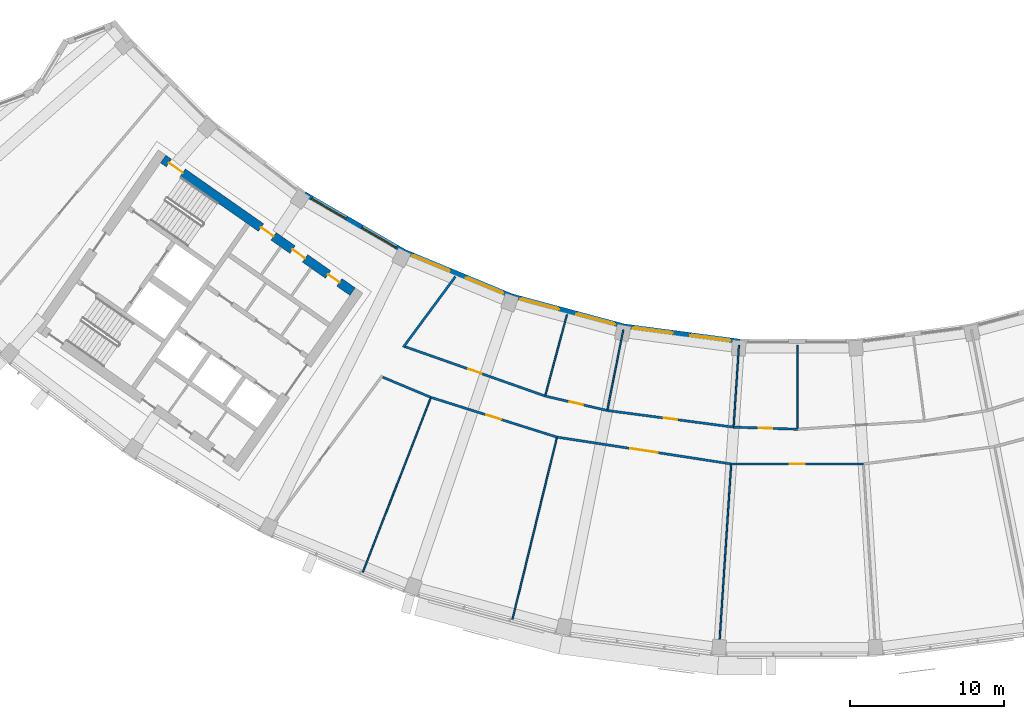
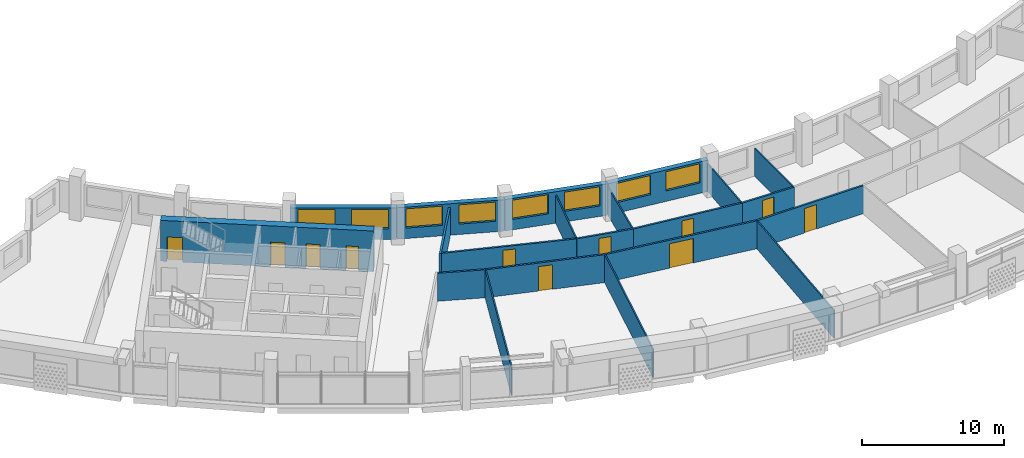
# One storey, part 4 of 28: 21 walls, 11 doors, 8 windows, 19 openings.
"""IFC4 building model written with IfcOpenShell, lengths in metres."""

from ifc_helpers import new_model, si_unit, direction, frame, frame_2d, origin, place, context, subcontext, project, spatial, rectangle, extrude, material, layer, layer_set, type_object, element, fill, save


model = new_model("IFC4")

# Units and contexts
model_context = context("Model", 3, precision=1e-05, world=origin(), true_north=direction((0.0, 1.0)))
body_context = subcontext(model_context, "Body", "Model", "MODEL_VIEW")
ifc_project = project(units=[si_unit("LENGTHUNIT", "METRE"), si_unit("AREAUNIT", "SQUARE_METRE"), si_unit("VOLUMEUNIT", "CUBIC_METRE"), si_unit("PLANEANGLEUNIT", "RADIAN"), si_unit("MASSUNIT", "GRAM", prefix="KILO")], contexts=[model_context])

# Site, building, storey
site_placement = place(None, origin())
site = spatial("IfcSite", under=ifc_project, at=site_placement, CompositionType="ELEMENT")
building_placement = place(site_placement, origin())
building = spatial("IfcBuilding", under=site, at=building_placement, Name="Qamariyya Broadcast Tower", CompositionType="ELEMENT")
storey_placement = place(building_placement, frame((0.0, 0.0, 269.5)))
storey = spatial("IfcBuildingStorey", under=building, at=storey_placement, Name="L65", CompositionType="ELEMENT", Elevation=269.5)

# Wall, openings, doors
ifc_material_1 = material(Name="Concrete C60/75", Category="concrete")
ifc_layer_1 = layer(ifc_material_1, 0.60009765625)
ifc_layer_set_1 = layer_set([ifc_layer_1], Name="Core wall 600 mm Concrete C60/75")
wall_type_1 = type_object("IfcWallType", Name="Core wall 600 mm Concrete C60/75", PredefinedType="SHEAR", material=ifc_layer_set_1)
wall_1_placement = place(storey_placement, frame((-28.940673828125, -54.447021484375, 0.0), z_axis=(0.0, 0.0, 1.0), x_axis=(-0.819153391756, 0.573574511963, 0.0)))
wall_1 = element("IfcWall", 1, at=wall_1_placement, inside=storey, type_object=wall_type_1, Name="k-W-L65-WI", PredefinedType="SHEAR", context=body_context, shape_type="SweptSolid", body=[
    extrude(rectangle(XDim=15.04541015625, YDim=0.60009765625, at=frame_2d((7.522705078125, 0.0))), origin(), (0.0, 0.0, 1.0), 3.5),
])
opening_1_placement = place(wall_1_placement, frame((1.050048828125, 0.0, 0.0)))
opening_1 = element("IfcOpeningElement", 2, at=opening_1_placement, cuts=wall_1, Name="Opening KD5-W1", PredefinedType="OPENING", context=body_context, shape_type="SweptSolid", body=[
    extrude(rectangle(XDim=0.89990234375, YDim=2.10009765625, at=frame_2d((0.449951171875, 1.050048828125))), frame((0.0, 0.31005859375, 0.0), z_axis=(0.0, -1.0, 0.0), x_axis=(1.0, 0.0, 0.0)), (0.0, 0.0, 1.0), 0.6201171875),
])
opening_2_placement = place(wall_1_placement, frame((3.77490234375, 0.0, 0.0)))
opening_2 = element("IfcOpeningElement", 3, at=opening_2_placement, cuts=wall_1, Name="Opening KD7-W1", PredefinedType="OPENING", context=body_context, shape_type="SweptSolid", body=[
    extrude(rectangle(XDim=1.0, YDim=2.10009765625, at=frame_2d((0.5, 1.050048828125))), frame((0.0, 0.31005859375, 0.0), z_axis=(0.0, -1.0, 0.0), x_axis=(1.0, 0.0, 0.0)), (0.0, 0.0, 1.0), 0.6201171875),
])
opening_3_placement = place(wall_1_placement, frame((6.27490234375, 0.0, 0.0)))
opening_3 = element("IfcOpeningElement", 4, at=opening_3_placement, cuts=wall_1, Name="Opening KD6-W3", PredefinedType="OPENING", context=body_context, shape_type="SweptSolid", body=[
    extrude(rectangle(XDim=1.0, YDim=2.10009765625, at=frame_2d((0.5, 1.050048828125))), frame((0.0, 0.31005859375, 0.0), z_axis=(0.0, -1.0, 0.0), x_axis=(1.0, 0.0, 0.0)), (0.0, 0.0, 1.0), 0.6201171875),
])
opening_4_placement = place(wall_1_placement, frame((13.495361328125, 0.0, 0.0)))
opening_4 = element("IfcOpeningElement", 5, at=opening_4_placement, cuts=wall_1, Name="Opening KD1-W1", PredefinedType="OPENING", context=body_context, shape_type="SweptSolid", body=[
    extrude(rectangle(XDim=1.10009765625, YDim=2.10009765625, at=frame_2d((0.550048828125, 1.050048828125))), frame((0.0, 0.31005859375, 0.0), z_axis=(0.0, -1.0, 0.0), x_axis=(1.0, 0.0, 0.0)), (0.0, 0.0, 1.0), 0.6201171875),
])
ifc_material_2 = material(Name="Steel fire-resisting door leaf", Category="steel")
door_type_1 = type_object("IfcDoorType", Name="Accessible toilet door KD7", OperationType="SINGLE_SWING_LEFT", PredefinedType="DOOR", material=ifc_material_2)
door_1_placement = place(opening_2_placement, origin())
door_1 = element("IfcDoor", 6, at=door_1_placement, inside=storey, type_object=door_type_1, Name="k-W-L65-WI-D9", OperationType="SINGLE_SWING_RIGHT", OverallHeight=2.10009765625, OverallWidth=1.0, PredefinedType="DOOR", context=body_context, shape_type="SweptSolid", body=[
    extrude(rectangle(XDim=1.0, YDim=2.10009765625, at=frame_2d((0.5, 1.050048828125))), frame((0.0, 0.02490234375, 0.0), z_axis=(0.0, -1.0, 0.0), x_axis=(1.0, 0.0, 0.0)), (0.0, 0.0, 1.0), 0.050048828125),
])
fill(opening_2, door_1)
door_type_2 = type_object("IfcDoorType", Name="Core room door KD6", OperationType="SINGLE_SWING_LEFT", PredefinedType="DOOR", material=ifc_material_2)
door_2_placement = place(opening_3_placement, origin())
door_2 = element("IfcDoor", 7, at=door_2_placement, inside=storey, type_object=door_type_2, Name="k-W-L65-WI-D10", OperationType="SINGLE_SWING_LEFT", OverallHeight=2.10009765625, OverallWidth=1.0, PredefinedType="DOOR", context=body_context, shape_type="SweptSolid", body=[
    extrude(rectangle(XDim=1.0, YDim=2.10009765625, at=frame_2d((0.5, 1.050048828125))), frame((0.0, 0.02490234375, 0.0), z_axis=(0.0, -1.0, 0.0), x_axis=(1.0, 0.0, 0.0)), (0.0, 0.0, 1.0), 0.050048828125),
])
fill(opening_3, door_2)
door_type_3 = type_object("IfcDoorType", Name="Stair door KD1", OperationType="SINGLE_SWING_LEFT", PredefinedType="DOOR", material=ifc_material_2)
door_3_placement = place(opening_4_placement, origin())
door_3 = element("IfcDoor", 8, at=door_3_placement, inside=storey, type_object=door_type_3, Name="k-W-L65-WI-D17", OperationType="SINGLE_SWING_RIGHT", OverallHeight=2.10009765625, OverallWidth=1.10009765625, PredefinedType="DOOR", context=body_context, shape_type="SweptSolid", body=[
    extrude(rectangle(XDim=1.10009765625, YDim=2.10009765625, at=frame_2d((0.550048828125, 1.050048828125))), frame((0.0, 0.02490234375, 0.0), z_axis=(0.0, -1.0, 0.0), x_axis=(1.0, 0.0, 0.0)), (0.0, 0.0, 1.0), 0.050048828125),
])
fill(opening_4, door_3)
door_type_4 = type_object("IfcDoorType", Name="Toilet door KD5", OperationType="SINGLE_SWING_LEFT", PredefinedType="DOOR", material=ifc_material_2)
door_4_placement = place(opening_1_placement, origin())
door_4 = element("IfcDoor", 9, at=door_4_placement, inside=storey, type_object=door_type_4, Name="k-W-L65-WI-D8", OperationType="SINGLE_SWING_LEFT", OverallHeight=2.10009765625, OverallWidth=0.89990234375, PredefinedType="DOOR", context=body_context, shape_type="SweptSolid", body=[
    extrude(rectangle(XDim=0.89990234375, YDim=2.10009765625, at=frame_2d((0.449951171875, 1.050048828125))), frame((0.0, 0.02490234375, 0.0), z_axis=(0.0, -1.0, 0.0), x_axis=(1.0, 0.0, 0.0)), (0.0, 0.0, 1.0), 0.050048828125),
])
fill(opening_1, door_4)

# Wall
ifc_material_3 = material(Name="Gypsum board partition")
ifc_layer_2 = layer(ifc_material_3, 0.14990234375)
ifc_layer_set_2 = layer_set([ifc_layer_2], Name="Corridor partition 150 EI 60")
wall_type_2 = type_object("IfcWallType", Name="Corridor partition 150 EI 60", PredefinedType="PARTITIONING", material=ifc_layer_set_2)
wall_2_placement = place(storey_placement, frame((-26.98828125, -60.008544921875, 0.0), z_axis=(0.0, 0.0, 1.0), x_axis=(0.922124291828, -0.386893771494, 0.0)))
element("IfcWall", 10, at=wall_2_placement, inside=storey, type_object=wall_type_2, Name="Partition L65-004", PredefinedType="PARTITIONING", context=body_context, shape_type="SweptSolid", body=[
    extrude(rectangle(XDim=3.406982421875, YDim=0.14990234375, at=frame_2d((1.70361328125, 0.0))), origin(), (0.0, 0.0, 1.0), 2.39990234375),
])

# Wall, opening, door
wall_3_placement = place(storey_placement, frame((-25.52734375, -58.027587890625, 0.0), z_axis=(0.0, 0.0, 1.0), x_axis=(0.94318552037, -0.332266570941, 0.0)))
wall_3 = element("IfcWall", 11, at=wall_3_placement, inside=storey, type_object=wall_type_2, Name="Partition L65-005", PredefinedType="PARTITIONING", context=body_context, shape_type="SweptSolid", body=[
    extrude(rectangle(XDim=9.66748046875, YDim=0.14990234375, at=frame_2d((4.833740234375, 0.0))), origin(), (0.0, 0.0, 1.0), 2.39990234375),
])
opening_5_placement = place(wall_3_placement, frame((4.3837890625, 0.0, 0.0)))
opening_5 = element("IfcOpeningElement", 12, at=opening_5_placement, cuts=wall_3, Name="Opening L65-D08", PredefinedType="OPENING", context=body_context, shape_type="SweptSolid", body=[
    extrude(rectangle(XDim=0.89990234375, YDim=2.10009765625, at=frame_2d((0.449951171875, 1.050048828125))), frame((0.0, 0.0849609375, 0.0), z_axis=(0.0, -1.0, 0.0), x_axis=(1.0, 0.0, 0.0)), (0.0, 0.0, 1.0), 0.169921875),
])
ifc_material_4 = material(Name="Timber fire door leaf", Category="wood")
door_type_5 = type_object("IfcDoorType", Name="Fire door 900 x 2100 FD60", OperationType="NOTDEFINED", PredefinedType="DOOR", material=ifc_material_4)
door_5_placement = place(opening_5_placement, origin())
door_5 = element("IfcDoor", 13, at=door_5_placement, inside=storey, type_object=door_type_5, Name="Door L65-D08", OperationType="SINGLE_SWING_RIGHT", OverallHeight=2.10009765625, OverallWidth=0.89990234375, PredefinedType="DOOR", context=body_context, shape_type="SweptSolid", body=[
    extrude(rectangle(XDim=0.89990234375, YDim=2.10009765625, at=frame_2d((0.449951171875, 1.050048828125))), frame((0.0, 0.02490234375, 0.0), z_axis=(0.0, -1.0, 0.0), x_axis=(1.0, 0.0, 0.0)), (0.0, 0.0, 1.0), 0.050048828125),
])
fill(opening_5, door_5)

wall_4_placement = place(storey_placement, frame((-15.637939453125, -63.914794921875, 0.0), z_axis=(0.0, 0.0, 1.0), x_axis=(-0.953719319389, 0.300698287031, 0.0)))
wall_4 = element("IfcWall", 14, at=wall_4_placement, inside=storey, type_object=wall_type_2, Name="Partition L65-006", PredefinedType="PARTITIONING", context=body_context, shape_type="SweptSolid", body=[
    extrude(rectangle(XDim=8.607177734375, YDim=0.14990234375, at=frame_2d((4.3037109375, 0.0))), origin(), (0.0, 0.0, 1.0), 2.39990234375),
])
opening_6_placement = place(wall_4_placement, frame((3.803466796875, 0.0, 0.0)))
opening_6 = element("IfcOpeningElement", 15, at=opening_6_placement, cuts=wall_4, Name="Opening L65-D02", PredefinedType="OPENING", context=body_context, shape_type="SweptSolid", body=[
    extrude(rectangle(XDim=1.0, YDim=2.10009765625, at=frame_2d((0.5, 1.050048828125))), frame((0.0, 0.0849609375, 0.0), z_axis=(0.0, -1.0, 0.0), x_axis=(1.0, 0.0, 0.0)), (0.0, 0.0, 1.0), 0.169921875),
])
door_type_6 = type_object("IfcDoorType", Name="Fire door 1000 x 2100 FD60", OperationType="NOTDEFINED", PredefinedType="DOOR", material=ifc_material_4)
door_6_placement = place(opening_6_placement, origin())
door_6 = element("IfcDoor", 16, at=door_6_placement, inside=storey, type_object=door_type_6, Name="Door L65-D02", OperationType="SINGLE_SWING_RIGHT", OverallHeight=2.10009765625, OverallWidth=1.0, PredefinedType="DOOR", context=body_context, shape_type="SweptSolid", body=[
    extrude(rectangle(XDim=1.0, YDim=2.10009765625, at=frame_2d((0.5, 1.050048828125))), frame((0.0, 0.02490234375, 0.0), z_axis=(0.0, -1.0, 0.0), x_axis=(1.0, 0.0, 0.0)), (0.0, 0.0, 1.0), 0.050048828125),
])
fill(opening_6, door_6)

# Wall
wall_5_placement = place(storey_placement, frame((-22.251953125, -53.469482421875, 0.0), z_axis=(0.0, 0.0, 1.0), x_axis=(-0.593872728047, -0.804558999006, 0.0)))
element("IfcWall", 17, at=wall_5_placement, inside=storey, type_object=wall_type_2, Name="Partition L65-007", PredefinedType="PARTITIONING", context=body_context, shape_type="SweptSolid", body=[
    extrude(rectangle(XDim=5.709228515625, YDim=0.14990234375, at=frame_2d((2.8544921875, 0.0))), origin(), (0.0, 0.0, 1.0), 2.39990234375),
])

# Wall, opening, door
wall_6_placement = place(storey_placement, frame((-16.4091796875, -61.23974609375, 0.0), z_axis=(0.0, 0.0, 1.0), x_axis=(0.973875922187, -0.227080796599, 0.0)))
wall_6 = element("IfcWall", 18, at=wall_6_placement, inside=storey, type_object=wall_type_2, Name="Partition L65-009", PredefinedType="PARTITIONING", context=body_context, shape_type="SweptSolid", body=[
    extrude(rectangle(XDim=4.14892578125, YDim=0.14990234375, at=frame_2d((2.074462890625, 0.0))), origin(), (0.0, 0.0, 1.0), 2.39990234375),
])
opening_7_placement = place(wall_6_placement, frame((1.62451171875, 0.0, 0.0)))
opening_7 = element("IfcOpeningElement", 19, at=opening_7_placement, cuts=wall_6, Name="Opening L65-D09", PredefinedType="OPENING", context=body_context, shape_type="SweptSolid", body=[
    extrude(rectangle(XDim=0.89990234375, YDim=2.10009765625, at=frame_2d((0.449951171875, 1.050048828125))), frame((0.0, 0.0849609375, 0.0), z_axis=(0.0, -1.0, 0.0), x_axis=(1.0, 0.0, 0.0)), (0.0, 0.0, 1.0), 0.169921875),
])
door_7_placement = place(opening_7_placement, origin())
door_7 = element("IfcDoor", 20, at=door_7_placement, inside=storey, type_object=door_type_5, Name="Door L65-D09", OperationType="SINGLE_SWING_RIGHT", OverallHeight=2.10009765625, OverallWidth=0.89990234375, PredefinedType="DOOR", context=body_context, shape_type="SweptSolid", body=[
    extrude(rectangle(XDim=0.89990234375, YDim=2.10009765625, at=frame_2d((0.449951171875, 1.050048828125))), frame((0.0, 0.02490234375, 0.0), z_axis=(0.0, -1.0, 0.0), x_axis=(1.0, 0.0, 0.0)), (0.0, 0.0, 1.0), 0.050048828125),
])
fill(opening_7, door_7)

wall_7_placement = place(storey_placement, frame((-4.303466796875, -65.6591796875, 0.0), z_axis=(0.0, 0.0, 1.0), x_axis=(-0.988363574422, 0.152109975859, 0.0)))
wall_7 = element("IfcWall", 21, at=wall_7_placement, inside=storey, type_object=wall_type_2, Name="Partition L65-010", PredefinedType="PARTITIONING", context=body_context, shape_type="SweptSolid", body=[
    extrude(rectangle(XDim=11.468017578125, YDim=0.14990234375, at=frame_2d((5.73388671875, 0.0))), origin(), (0.0, 0.0, 1.0), 2.39990234375),
])
opening_8_placement = place(wall_7_placement, frame((4.833984375, 0.0, 0.0)))
opening_8 = element("IfcOpeningElement", 22, at=opening_8_placement, cuts=wall_7, Name="Opening L65-D03", PredefinedType="OPENING", context=body_context, shape_type="SweptSolid", body=[
    extrude(rectangle(XDim=1.800048828125, YDim=2.10009765625, at=frame_2d((0.89990234375, 1.050048828125))), frame((0.0, 0.0849609375, 0.0), z_axis=(0.0, -1.0, 0.0), x_axis=(1.0, 0.0, 0.0)), (0.0, 0.0, 1.0), 0.169921875),
])
door_type_7 = type_object("IfcDoorType", Name="Double fire door 1800 x 2100 FD60", OperationType="NOTDEFINED", PredefinedType="DOOR", material=ifc_material_4)
door_8_placement = place(opening_8_placement, origin())
door_8 = element("IfcDoor", 23, at=door_8_placement, inside=storey, type_object=door_type_7, Name="Door L65-D03", OperationType="DOUBLE_DOOR_SINGLE_SWING", OverallHeight=2.10009765625, OverallWidth=1.800048828125, PredefinedType="DOOR", context=body_context, shape_type="SweptSolid", body=[
    extrude(rectangle(XDim=1.800048828125, YDim=2.10009765625, at=frame_2d((0.89990234375, 1.050048828125))), frame((0.0, 0.02490234375, 0.0), z_axis=(0.0, -1.0, 0.0), x_axis=(1.0, 0.0, 0.0)), (0.0, 0.0, 1.0), 0.050048828125),
])
fill(opening_8, door_8)

wall_8_placement = place(storey_placement, frame((-12.36865234375, -62.181884765625, 0.0), z_axis=(0.0, 0.0, 1.0), x_axis=(0.991447881484, -0.130503250152, 0.0)))
wall_8 = element("IfcWall", 24, at=wall_8_placement, inside=storey, type_object=wall_type_2, Name="Partition L65-012", PredefinedType="PARTITIONING", context=body_context, shape_type="SweptSolid", body=[
    extrude(rectangle(XDim=8.293212890625, YDim=0.14990234375, at=frame_2d((4.146484375, 0.0))), origin(), (0.0, 0.0, 1.0), 2.39990234375),
])
opening_9_placement = place(wall_8_placement, frame((3.696533203125, 0.0, 0.0)))
opening_9 = element("IfcOpeningElement", 25, at=opening_9_placement, cuts=wall_8, Name="Opening L65-D10", PredefinedType="OPENING", context=body_context, shape_type="SweptSolid", body=[
    extrude(rectangle(XDim=0.89990234375, YDim=2.10009765625, at=frame_2d((0.449951171875, 1.050048828125))), frame((0.0, 0.0849609375, 0.0), z_axis=(0.0, -1.0, 0.0), x_axis=(1.0, 0.0, 0.0)), (0.0, 0.0, 1.0), 0.169921875),
])
door_9_placement = place(opening_9_placement, origin())
door_9 = element("IfcDoor", 26, at=door_9_placement, inside=storey, type_object=door_type_5, Name="Door L65-D10", OperationType="SINGLE_SWING_RIGHT", OverallHeight=2.10009765625, OverallWidth=0.89990234375, PredefinedType="DOOR", context=body_context, shape_type="SweptSolid", body=[
    extrude(rectangle(XDim=0.89990234375, YDim=2.10009765625, at=frame_2d((0.449951171875, 1.050048828125))), frame((0.0, 0.02490234375, 0.0), z_axis=(0.0, -1.0, 0.0), x_axis=(1.0, 0.0, 0.0)), (0.0, 0.0, 1.0), 0.050048828125),
])
fill(opening_9, door_9)

wall_9_placement = place(storey_placement, frame((4.303466796875, -65.6591796875, 0.0), z_axis=(0.0, 0.0, 1.0), x_axis=(-1.0, 0.0, 0.0)))
wall_9 = element("IfcWall", 27, at=wall_9_placement, inside=storey, type_object=wall_type_2, Name="Partition L65-015", PredefinedType="PARTITIONING", context=body_context, shape_type="SweptSolid", body=[
    extrude(rectangle(XDim=8.60693359375, YDim=0.14990234375, at=frame_2d((4.303466796875, 0.0))), origin(), (0.0, 0.0, 1.0), 2.39990234375),
])
opening_10_placement = place(wall_9_placement, frame((3.803466796875, 0.0, 0.0)))
opening_10 = element("IfcOpeningElement", 28, at=opening_10_placement, cuts=wall_9, Name="Opening L65-D04", PredefinedType="OPENING", context=body_context, shape_type="SweptSolid", body=[
    extrude(rectangle(XDim=1.0, YDim=2.10009765625, at=frame_2d((0.5, 1.050048828125))), frame((0.0, 0.0849609375, 0.0), z_axis=(0.0, -1.0, 0.0), x_axis=(1.0, 0.0, 0.0)), (0.0, 0.0, 1.0), 0.169921875),
])
door_10_placement = place(opening_10_placement, origin())
door_10 = element("IfcDoor", 29, at=door_10_placement, inside=storey, type_object=door_type_6, Name="Door L65-D04", OperationType="SINGLE_SWING_RIGHT", OverallHeight=2.10009765625, OverallWidth=1.0, PredefinedType="DOOR", context=body_context, shape_type="SweptSolid", body=[
    extrude(rectangle(XDim=1.0, YDim=2.10009765625, at=frame_2d((0.5, 1.050048828125))), frame((0.0, 0.02490234375, 0.0), z_axis=(0.0, -1.0, 0.0), x_axis=(1.0, 0.0, 0.0)), (0.0, 0.0, 1.0), 0.050048828125),
])
fill(opening_10, door_10)

wall_10_placement = place(storey_placement, frame((-4.146484375, -63.26416015625, 0.0), z_axis=(0.0, 0.0, 1.0), x_axis=(0.999464584765, -0.032719165634, 0.0)))
wall_10 = element("IfcWall", 30, at=wall_10_placement, inside=storey, type_object=wall_type_2, Name="Partition L65-016", PredefinedType="PARTITIONING", context=body_context, shape_type="SweptSolid", body=[
    extrude(rectangle(XDim=4.148681640625, YDim=0.14990234375, at=frame_2d((2.07421875, 0.0))), origin(), (0.0, 0.0, 1.0), 2.39990234375),
])
opening_11_placement = place(wall_10_placement, frame((1.62451171875, 0.0, 0.0)))
opening_11 = element("IfcOpeningElement", 31, at=opening_11_placement, cuts=wall_10, Name="Opening L65-D11", PredefinedType="OPENING", context=body_context, shape_type="SweptSolid", body=[
    extrude(rectangle(XDim=0.89990234375, YDim=2.10009765625, at=frame_2d((0.449951171875, 1.050048828125))), frame((0.0, 0.0849609375, 0.0), z_axis=(0.0, -1.0, 0.0), x_axis=(1.0, 0.0, 0.0)), (0.0, 0.0, 1.0), 0.169921875),
])
door_11_placement = place(opening_11_placement, origin())
door_11 = element("IfcDoor", 32, at=door_11_placement, inside=storey, type_object=door_type_5, Name="Door L65-D11", OperationType="SINGLE_SWING_RIGHT", OverallHeight=2.10009765625, OverallWidth=0.89990234375, PredefinedType="DOOR", context=body_context, shape_type="SweptSolid", body=[
    extrude(rectangle(XDim=0.89990234375, YDim=2.10009765625, at=frame_2d((0.449951171875, 1.050048828125))), frame((0.0, 0.02490234375, 0.0), z_axis=(0.0, -1.0, 0.0), x_axis=(1.0, 0.0, 0.0)), (0.0, 0.0, 1.0), 0.050048828125),
])
fill(opening_11, door_11)

# Walls
ifc_layer_3 = layer(ifc_material_3, 0.10009765625)
ifc_layer_set_3 = layer_set([ifc_layer_3], Name="Partition 100")
wall_type_3 = type_object("IfcWallType", Name="Partition 100", PredefinedType="PARTITIONING", material=ifc_layer_set_3)
wall_11_placement = place(storey_placement, frame((-28.2685546875, -72.6982421875, 0.0), z_axis=(0.0, 0.0, 1.0), x_axis=(0.362410311337, 0.932018651228, 0.0)))
element("IfcWall", 33, at=wall_11_placement, inside=storey, type_object=wall_type_3, Name="Partition L65-002", PredefinedType="PARTITIONING", context=body_context, shape_type="SweptSolid", body=[
    extrude(rectangle(XDim=12.125732421875, YDim=0.10009765625, at=frame_2d((6.06298828125, 0.0))), origin(), (0.0, 0.0, 1.0), 2.39990234375),
])
wall_12_placement = place(storey_placement, frame((-18.53759765625, -75.76611328125, 0.0), z_axis=(0.0, 0.0, 1.0), x_axis=(0.237657846319, 0.971348932198, 0.0)))
element("IfcWall", 34, at=wall_12_placement, inside=storey, type_object=wall_type_3, Name="Partition L65-008", PredefinedType="PARTITIONING", context=body_context, shape_type="SweptSolid", body=[
    extrude(rectangle(XDim=12.1259765625, YDim=0.10009765625, at=frame_2d((6.06298828125, 0.0))), origin(), (0.0, 0.0, 1.0), 2.39990234375),
])
wall_13_placement = place(storey_placement, frame((-14.992431640625, -55.952880859375, 0.0), z_axis=(0.0, 0.0, 1.0), x_axis=(-0.258825000964, -0.965924230401, 0.0)))
element("IfcWall", 35, at=wall_13_placement, inside=storey, type_object=wall_type_3, Name="Partition L65-011", PredefinedType="PARTITIONING", context=body_context, shape_type="SweptSolid", body=[
    extrude(rectangle(XDim=5.398193359375, YDim=0.10009765625, at=frame_2d((2.69921875, 0.0))), origin(), (0.0, 0.0, 1.0), 2.39990234375),
])
wall_14_placement = place(storey_placement, frame((-11.324951171875, -56.9345703125, 0.0), z_axis=(0.0, 0.0, 1.0), x_axis=(-0.195083555743, -0.980786626274, 0.0)))
element("IfcWall", 36, at=wall_14_placement, inside=storey, type_object=wall_type_3, Name="Partition L65-013", PredefinedType="PARTITIONING", context=body_context, shape_type="SweptSolid", body=[
    extrude(rectangle(XDim=5.27490234375, YDim=0.10009765625, at=frame_2d((2.637451171875, 0.0))), origin(), (0.0, 0.0, 1.0), 2.39990234375),
])
wall_15_placement = place(storey_placement, frame((-5.111328125, -77.982666015625, 0.0), z_axis=(0.0, 0.0, 1.0), x_axis=(0.065415386497, 0.997858119779, 0.0)))
element("IfcWall", 37, at=wall_15_placement, inside=storey, type_object=wall_type_3, Name="Partition L65-014", PredefinedType="PARTITIONING", context=body_context, shape_type="SweptSolid", body=[
    extrude(rectangle(XDim=12.275146484375, YDim=0.10009765625, at=frame_2d((6.1376953125, 0.0))), origin(), (0.0, 0.0, 1.0), 2.39990234375),
])
wall_16_placement = place(storey_placement, frame((-3.796630859375, -57.92578125, 0.0), z_axis=(0.0, 0.0, 1.0), x_axis=(-0.065397734607, -0.997859276806, 0.0)))
element("IfcWall", 38, at=wall_16_placement, inside=storey, type_object=wall_type_3, Name="Partition L65-017", PredefinedType="PARTITIONING", context=body_context, shape_type="SweptSolid", body=[
    extrude(rectangle(XDim=5.27490234375, YDim=0.10009765625, at=frame_2d((2.637451171875, 0.0))), origin(), (0.0, 0.0, 1.0), 2.39990234375),
])
wall_17_placement = place(storey_placement, frame((0.0, -57.926513671875, 0.0), z_axis=(0.0, 0.0, 1.0), x_axis=(0.0, -1.0, 0.0)))
element("IfcWall", 39, at=wall_17_placement, inside=storey, type_object=wall_type_3, Name="Partition L65-019", PredefinedType="PARTITIONING", context=body_context, shape_type="SweptSolid", body=[
    extrude(rectangle(XDim=5.3984375, YDim=0.10009765625, at=frame_2d((2.69921875, 0.0))), origin(), (0.0, 0.0, 1.0), 2.39990234375),
])

# Wall, openings, windows
ifc_material_5 = material(Name="Terracotta", Category="masonry")
ifc_layer_4 = layer(ifc_material_5, 0.39990234375)
ifc_layer_set_4 = layer_set([ifc_layer_4], Name="Terracotta clad wall 400")
wall_type_4 = type_object("IfcWallType", Name="Terracotta clad wall 400", PredefinedType="SOLIDWALL", material=ifc_layer_set_4)
wall_18_placement = place(storey_placement, frame((-25.630615234375, -51.859130859375, 0.0), z_axis=(0.0, 0.0, 1.0), x_axis=(-0.866016763373, 0.500014965334, 0.0)))
wall_18 = element("IfcWall", 40, at=wall_18_placement, inside=storey, type_object=wall_type_4, Name="e-wl-L65-in30", PredefinedType="SOLIDWALL", context=body_context, shape_type="SweptSolid", body=[
    extrude(rectangle(XDim=7.465576171875, YDim=0.39990234375, at=frame_2d((3.73291015625, 0.0))), origin(), (0.0, 0.0, 1.0), 2.699951171875),
])
opening_12_placement = place(wall_18_placement, frame((4.318115234375, 0.0, 0.89990234375)))
opening_12 = element("IfcOpeningElement", 41, at=opening_12_placement, cuts=wall_18, Name="Opening W1", PredefinedType="OPENING", context=body_context, shape_type="SweptSolid", body=[
    extrude(rectangle(XDim=2.60009765625, YDim=1.64990234375, at=frame_2d((1.300048828125, 0.824951171875))), frame((0.0, 0.2099609375, 0.0), z_axis=(0.0, -1.0, 0.0), x_axis=(1.0, 0.0, 0.0)), (0.0, 0.0, 1.0), 0.419921875),
])
opening_13_placement = place(wall_18_placement, frame((0.547607421875, 0.0, 0.89990234375)))
opening_13 = element("IfcOpeningElement", 42, at=opening_13_placement, cuts=wall_18, Name="Opening W1", PredefinedType="OPENING", context=body_context, shape_type="SweptSolid", body=[
    extrude(rectangle(XDim=2.60009765625, YDim=1.64990234375, at=frame_2d((1.300048828125, 0.824951171875))), frame((0.0, 0.2099609375, 0.0), z_axis=(0.0, -1.0, 0.0), x_axis=(1.0, 0.0, 0.0)), (0.0, 0.0, 1.0), 0.419921875),
])
ifc_material_6 = material(Name="Clear low-e double glazed unit in aluminium frame", Category="aluminium")
window_type = type_object("IfcWindowType", Name="Ribbon window 2600 x 1650", PartitioningType="SINGLE_PANEL", PredefinedType="WINDOW", material=ifc_material_6)
window_1_placement = place(opening_12_placement, origin())
window_1 = element("IfcWindow", 43, at=window_1_placement, inside=storey, type_object=window_type, Name="e-w-L65-in03-0", OverallHeight=1.64990234375, OverallWidth=2.60009765625, PartitioningType="SINGLE_PANEL", PredefinedType="WINDOW", context=body_context, shape_type="SweptSolid", body=[
    extrude(rectangle(XDim=2.60009765625, YDim=1.64990234375, at=frame_2d((1.300048828125, 0.824951171875))), frame((0.0, 0.030029296875, 0.0), z_axis=(0.0, -1.0, 0.0), x_axis=(1.0, 0.0, 0.0)), (0.0, 0.0, 1.0), 0.06005859375),
])
fill(opening_12, window_1)
window_2_placement = place(opening_13_placement, origin())
window_2 = element("IfcWindow", 44, at=window_2_placement, inside=storey, type_object=window_type, Name="e-w-L65-in03-1", OverallHeight=1.64990234375, OverallWidth=2.60009765625, PartitioningType="SINGLE_PANEL", PredefinedType="WINDOW", context=body_context, shape_type="SweptSolid", body=[
    extrude(rectangle(XDim=2.60009765625, YDim=1.64990234375, at=frame_2d((1.300048828125, 0.824951171875))), frame((0.0, 0.030029296875, 0.0), z_axis=(0.0, -1.0, 0.0), x_axis=(1.0, 0.0, 0.0)), (0.0, 0.0, 1.0), 0.06005859375),
])
fill(opening_13, window_2)

wall_19_placement = place(storey_placement, frame((-18.572265625, -54.789794921875, 0.0), z_axis=(0.0, 0.0, 1.0), x_axis=(-0.923887531937, 0.382664119472, 0.0)))
wall_19 = element("IfcWall", 45, at=wall_19_placement, inside=storey, type_object=wall_type_4, Name="e-wl-L65-in40", PredefinedType="SOLIDWALL", context=body_context, shape_type="SweptSolid", body=[
    extrude(rectangle(XDim=7.6171875, YDim=0.39990234375, at=frame_2d((3.80859375, 0.0))), origin(), (0.0, 0.0, 1.0), 2.699951171875),
])
opening_14_placement = place(wall_19_placement, frame((4.393798828125, 0.0, 0.89990234375)))
opening_14 = element("IfcOpeningElement", 46, at=opening_14_placement, cuts=wall_19, Name="Opening W1", PredefinedType="OPENING", context=body_context, shape_type="SweptSolid", body=[
    extrude(rectangle(XDim=2.60009765625, YDim=1.64990234375, at=frame_2d((1.300048828125, 0.824951171875))), frame((0.0, 0.2099609375, 0.0), z_axis=(0.0, -1.0, 0.0), x_axis=(1.0, 0.0, 0.0)), (0.0, 0.0, 1.0), 0.419921875),
])
opening_15_placement = place(wall_19_placement, frame((0.623291015625, 0.0, 0.89990234375)))
opening_15 = element("IfcOpeningElement", 47, at=opening_15_placement, cuts=wall_19, Name="Opening W1", PredefinedType="OPENING", context=body_context, shape_type="SweptSolid", body=[
    extrude(rectangle(XDim=2.60009765625, YDim=1.64990234375, at=frame_2d((1.300048828125, 0.824951171875))), frame((0.0, 0.2099609375, 0.0), z_axis=(0.0, -1.0, 0.0), x_axis=(1.0, 0.0, 0.0)), (0.0, 0.0, 1.0), 0.419921875),
])
window_3_placement = place(opening_14_placement, origin())
window_3 = element("IfcWindow", 48, at=window_3_placement, inside=storey, type_object=window_type, Name="e-w-L65-in04-0", OverallHeight=1.64990234375, OverallWidth=2.60009765625, PartitioningType="SINGLE_PANEL", PredefinedType="WINDOW", context=body_context, shape_type="SweptSolid", body=[
    extrude(rectangle(XDim=2.60009765625, YDim=1.64990234375, at=frame_2d((1.300048828125, 0.824951171875))), frame((0.0, 0.030029296875, 0.0), z_axis=(0.0, -1.0, 0.0), x_axis=(1.0, 0.0, 0.0)), (0.0, 0.0, 1.0), 0.06005859375),
])
fill(opening_14, window_3)
window_4_placement = place(opening_15_placement, origin())
window_4 = element("IfcWindow", 49, at=window_4_placement, inside=storey, type_object=window_type, Name="e-w-L65-in04-1", OverallHeight=1.64990234375, OverallWidth=2.60009765625, PartitioningType="SINGLE_PANEL", PredefinedType="WINDOW", context=body_context, shape_type="SweptSolid", body=[
    extrude(rectangle(XDim=2.60009765625, YDim=1.64990234375, at=frame_2d((1.300048828125, 0.824951171875))), frame((0.0, 0.030029296875, 0.0), z_axis=(0.0, -1.0, 0.0), x_axis=(1.0, 0.0, 0.0)), (0.0, 0.0, 1.0), 0.06005859375),
])
fill(opening_15, window_4)

wall_20_placement = place(storey_placement, frame((-11.3349609375, -56.725830078125, 0.0), z_axis=(0.0, 0.0, 1.0), x_axis=(-0.965923236695, 0.258828709406, 0.0)))
wall_20 = element("IfcWall", 50, at=wall_20_placement, inside=storey, type_object=wall_type_4, Name="e-wl-L65-in50", PredefinedType="SOLIDWALL", context=body_context, shape_type="SweptSolid", body=[
    extrude(rectangle(XDim=7.4658203125, YDim=0.39990234375, at=frame_2d((3.73291015625, 0.0))), origin(), (0.0, 0.0, 1.0), 2.699951171875),
])
opening_16_placement = place(wall_20_placement, frame((4.318115234375, 0.0, 0.89990234375)))
opening_16 = element("IfcOpeningElement", 51, at=opening_16_placement, cuts=wall_20, Name="Opening W1", PredefinedType="OPENING", context=body_context, shape_type="SweptSolid", body=[
    extrude(rectangle(XDim=2.60009765625, YDim=1.64990234375, at=frame_2d((1.300048828125, 0.824951171875))), frame((0.0, 0.2099609375, 0.0), z_axis=(0.0, -1.0, 0.0), x_axis=(1.0, 0.0, 0.0)), (0.0, 0.0, 1.0), 0.419921875),
])
opening_17_placement = place(wall_20_placement, frame((0.547607421875, 0.0, 0.89990234375)))
opening_17 = element("IfcOpeningElement", 52, at=opening_17_placement, cuts=wall_20, Name="Opening W1", PredefinedType="OPENING", context=body_context, shape_type="SweptSolid", body=[
    extrude(rectangle(XDim=2.60009765625, YDim=1.64990234375, at=frame_2d((1.300048828125, 0.824951171875))), frame((0.0, 0.2099609375, 0.0), z_axis=(0.0, -1.0, 0.0), x_axis=(1.0, 0.0, 0.0)), (0.0, 0.0, 1.0), 0.419921875),
])
window_5_placement = place(opening_16_placement, origin())
window_5 = element("IfcWindow", 53, at=window_5_placement, inside=storey, type_object=window_type, Name="e-w-L65-in05-0", OverallHeight=1.64990234375, OverallWidth=2.60009765625, PartitioningType="SINGLE_PANEL", PredefinedType="WINDOW", context=body_context, shape_type="SweptSolid", body=[
    extrude(rectangle(XDim=2.60009765625, YDim=1.64990234375, at=frame_2d((1.300048828125, 0.824951171875))), frame((0.0, 0.030029296875, 0.0), z_axis=(0.0, -1.0, 0.0), x_axis=(1.0, 0.0, 0.0)), (0.0, 0.0, 1.0), 0.06005859375),
])
fill(opening_16, window_5)
window_6_placement = place(opening_17_placement, origin())
window_6 = element("IfcWindow", 54, at=window_6_placement, inside=storey, type_object=window_type, Name="e-w-L65-in05-1", OverallHeight=1.64990234375, OverallWidth=2.60009765625, PartitioningType="SINGLE_PANEL", PredefinedType="WINDOW", context=body_context, shape_type="SweptSolid", body=[
    extrude(rectangle(XDim=2.60009765625, YDim=1.64990234375, at=frame_2d((1.300048828125, 0.824951171875))), frame((0.0, 0.030029296875, 0.0), z_axis=(0.0, -1.0, 0.0), x_axis=(1.0, 0.0, 0.0)), (0.0, 0.0, 1.0), 0.06005859375),
])
fill(opening_17, window_6)

wall_21_placement = place(storey_placement, frame((-3.7587890625, -57.729736328125, 0.0), z_axis=(0.0, 0.0, 1.0), x_axis=(-0.991446548217, 0.130513378733, 0.0)))
wall_21 = element("IfcWall", 55, at=wall_21_placement, inside=storey, type_object=wall_type_4, Name="e-wl-L65-in60", PredefinedType="SOLIDWALL", context=body_context, shape_type="SweptSolid", body=[
    extrude(rectangle(XDim=7.6171875, YDim=0.39990234375, at=frame_2d((3.80859375, 0.0))), origin(), (0.0, 0.0, 1.0), 2.699951171875),
])
opening_18_placement = place(wall_21_placement, frame((4.393798828125, 0.0, 0.89990234375)))
opening_18 = element("IfcOpeningElement", 56, at=opening_18_placement, cuts=wall_21, Name="Opening W1", PredefinedType="OPENING", context=body_context, shape_type="SweptSolid", body=[
    extrude(rectangle(XDim=2.60009765625, YDim=1.64990234375, at=frame_2d((1.300048828125, 0.824951171875))), frame((0.0, 0.2099609375, 0.0), z_axis=(0.0, -1.0, 0.0), x_axis=(1.0, 0.0, 0.0)), (0.0, 0.0, 1.0), 0.419921875),
])
opening_19_placement = place(wall_21_placement, frame((0.623291015625, 0.0, 0.89990234375)))
opening_19 = element("IfcOpeningElement", 57, at=opening_19_placement, cuts=wall_21, Name="Opening W1", PredefinedType="OPENING", context=body_context, shape_type="SweptSolid", body=[
    extrude(rectangle(XDim=2.60009765625, YDim=1.64990234375, at=frame_2d((1.300048828125, 0.824951171875))), frame((0.0, 0.2099609375, 0.0), z_axis=(0.0, -1.0, 0.0), x_axis=(1.0, 0.0, 0.0)), (0.0, 0.0, 1.0), 0.419921875),
])
window_7_placement = place(opening_18_placement, origin())
window_7 = element("IfcWindow", 58, at=window_7_placement, inside=storey, type_object=window_type, Name="e-w-L65-in06-0", OverallHeight=1.64990234375, OverallWidth=2.60009765625, PartitioningType="SINGLE_PANEL", PredefinedType="WINDOW", context=body_context, shape_type="SweptSolid", body=[
    extrude(rectangle(XDim=2.60009765625, YDim=1.64990234375, at=frame_2d((1.300048828125, 0.824951171875))), frame((0.0, 0.030029296875, 0.0), z_axis=(0.0, -1.0, 0.0), x_axis=(1.0, 0.0, 0.0)), (0.0, 0.0, 1.0), 0.06005859375),
])
fill(opening_18, window_7)
window_8_placement = place(opening_19_placement, origin())
window_8 = element("IfcWindow", 59, at=window_8_placement, inside=storey, type_object=window_type, Name="e-w-L65-in06-1", OverallHeight=1.64990234375, OverallWidth=2.60009765625, PartitioningType="SINGLE_PANEL", PredefinedType="WINDOW", context=body_context, shape_type="SweptSolid", body=[
    extrude(rectangle(XDim=2.60009765625, YDim=1.64990234375, at=frame_2d((1.300048828125, 0.824951171875))), frame((0.0, 0.030029296875, 0.0), z_axis=(0.0, -1.0, 0.0), x_axis=(1.0, 0.0, 0.0)), (0.0, 0.0, 1.0), 0.06005859375),
])
fill(opening_19, window_8)

save(model, "model.ifc")
